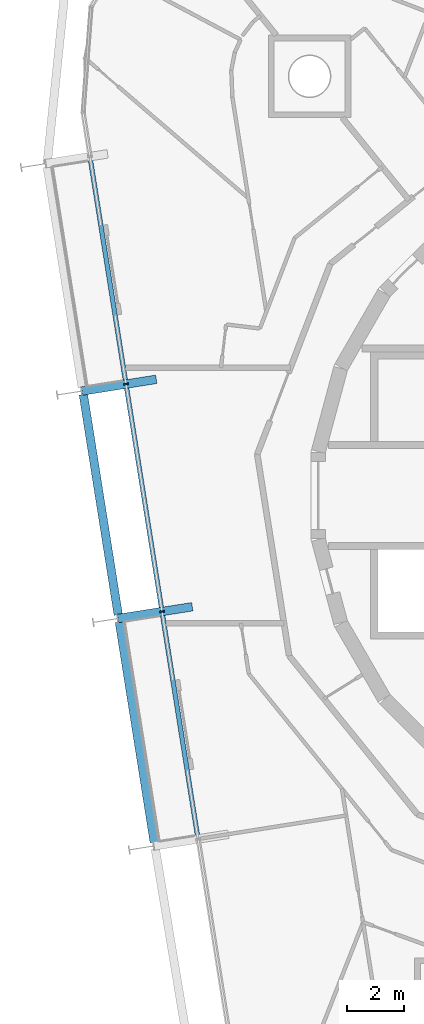
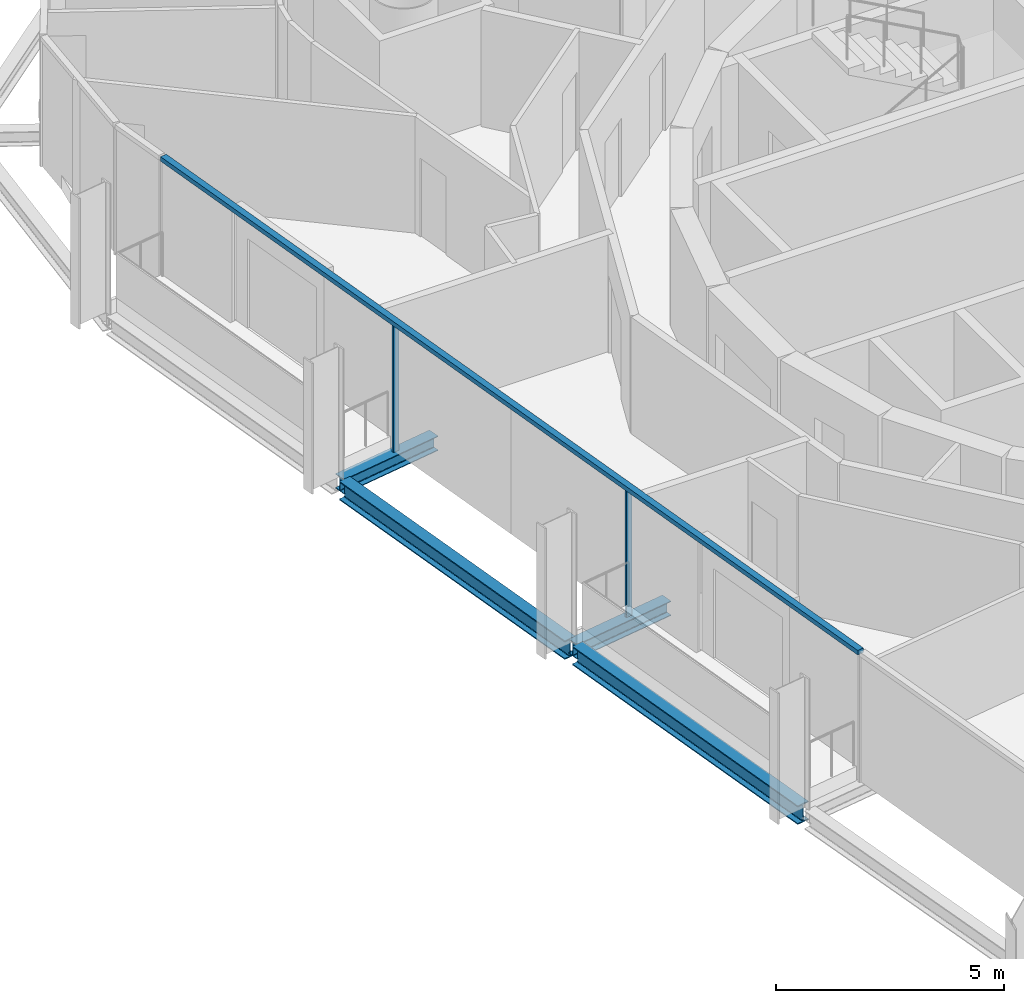
# One storey, part 3 of 17: 4 beams, 3 members, 1 element without a shape of its own.
"""IFC4 building model written with IfcOpenShell, lengths in metres."""

from ifc_helpers import new_model, si_unit, direction, frame, origin, origin_2d, place, context, subcontext, project, spatial, rectangle, i_section, extrude, material, layer, layer_set, material_profile, profile_set, type_object, element, aggregate, save


model = new_model("IFC4")

# Units and contexts
model_context = context("Model", 3, precision=1e-05, world=origin(), true_north=direction((0.0, 1.0)))
body_context = subcontext(model_context, "Body", "Model", "MODEL_VIEW")
ifc_project = project(units=[si_unit("LENGTHUNIT", "METRE"), si_unit("AREAUNIT", "SQUARE_METRE"), si_unit("VOLUMEUNIT", "CUBIC_METRE"), si_unit("PLANEANGLEUNIT", "RADIAN"), si_unit("MASSUNIT", "GRAM", prefix="KILO")], contexts=[model_context])

# Site, building, storey
site_placement = place(None, origin())
site = spatial("IfcSite", under=ifc_project, at=site_placement, CompositionType="ELEMENT")
building_placement = place(site_placement, origin())
building = spatial("IfcBuilding", under=site, at=building_placement, Name="Spindle Arch Residences", CompositionType="ELEMENT")
storey_placement = place(building_placement, frame((0.0, 0.0, 266.89990234375)))
storey = spatial("IfcBuildingStorey", under=building, at=storey_placement, Name="L68", CompositionType="ELEMENT", Elevation=266.89990234375)

# Curtain wall, members
ifc_material_1 = material(Name="Aluminium bronze unitised frame with tinted glass", Category="aluminium")
ifc_layer = layer(ifc_material_1, 0.159912109375)
ifc_layer_set = layer_set([ifc_layer], Name="CW-C typical residential unitised wall")
curtain_wall_type = type_object("IfcCurtainWallType", Name="CW-C typical residential unitised wall", PredefinedType="NOTDEFINED", material=ifc_layer_set)
curtain_wall_placement = place(storey_placement, origin())
curtain_wall = element("IfcCurtainWall", 1, at=curtain_wall_placement, inside=storey, type_object=curtain_wall_type, Name="CW-C L68 run 4", PredefinedType="NOTDEFINED")
ifc_material_2 = material(Name="Aluminium bronze anodised mullion", Category="aluminium")
ifc_material_profile_1 = material_profile(ifc_material_2, rectangle(XDim=0.159912109375, YDim=0.06005859375, at=origin_2d()), Name="MU 60x160")
ifc_profile_set_1 = profile_set([ifc_material_profile_1], Name="Aluminium bronze anodised mullion")
member_type_1 = type_object("IfcMemberType", Name="Bronze mullion 60x160", PredefinedType="MULLION", material=ifc_profile_set_1)
member_1_placement = place(storey_placement, frame((-18.417236328125, 3.923583984375, -0.3798828125), z_axis=(0.0, 0.0, 1.0), x_axis=(0.987688340595, 0.15643446504, 0.0)))
member_1 = element("IfcMember", 2, at=member_1_placement, type_object=member_type_1, Name="CW-C mullion 12", PredefinedType="MULLION", context=body_context, shape_type="SweptSolid", body=[
    extrude(rectangle(XDim=0.159912109375, YDim=0.06005859375, at=origin_2d()), origin(), (0.0, 0.0, 1.0), 3.3798828125),
])
member_2_placement = place(storey_placement, frame((-17.14892578125, -4.084228515625, -0.3798828125), z_axis=(0.0, 0.0, 1.0), x_axis=(0.987688340595, 0.15643446504, 0.0)))
member_2 = element("IfcMember", 3, at=member_2_placement, type_object=member_type_1, Name="CW-C mullion 13", PredefinedType="MULLION", context=body_context, shape_type="SweptSolid", body=[
    extrude(rectangle(XDim=0.159912109375, YDim=0.06005859375, at=origin_2d()), origin(), (0.0, 0.0, 1.0), 3.3798828125),
])
ifc_material_3 = material(Name="Aluminium bronze anodised transom", Category="aluminium")
ifc_material_profile_2 = material_profile(ifc_material_3, rectangle(XDim=0.159912109375, YDim=0.1201171875, at=origin_2d()), Name="TR 120x160")
ifc_profile_set_2 = profile_set([ifc_material_profile_2], Name="Aluminium bronze anodised transom")
member_type_2 = type_object("IfcMemberType", Name="Bronze transom 120x160", PredefinedType="USERDEFINED", material=ifc_profile_set_2)
member_3_placement = place(storey_placement, frame((-19.6806640625, 11.901611328125, 3.06005859375), z_axis=(0.156430704214, -0.987688936244, 0.0), x_axis=(0.987688936244, 0.156430704214, 0.0)))
member_3 = element("IfcMember", 4, at=member_3_placement, type_object=member_type_2, Name="CW-C transom 00", ObjectType="TRANSOM", PredefinedType="USERDEFINED", context=body_context, shape_type="SweptSolid", body=[
    extrude(rectangle(XDim=0.159912109375, YDim=0.1201171875, at=origin_2d()), origin(), (0.0, 0.0, 1.0), 24.262451171875),
])
aggregate(curtain_wall, [member_3, member_1, member_2])

# Beams
ifc_material_4 = material(Name="Steel S460ML, intumescent coating R 120", Category="steel")
ifc_material_profile_3 = material_profile(ifc_material_4, i_section(OverallWidth=0.300048828125, OverallDepth=0.5, WebThickness=0.014404296875, FlangeThickness=0.028076171875, FilletRadius=0.027099609375, at=origin_2d()), Name="HEB 500")
ifc_profile_set_3 = profile_set([ifc_material_profile_3], Name="Steel S460ML, intumescent coating R 120")
beam_type_1 = type_object("IfcBeamType", Name="Exoskeleton edge beam HEB 500", PredefinedType="BEAM", material=ifc_profile_set_3)
for number, where, z_axis, x_axis, name in (
    (5, (-19.91796875, 3.55419921875, -0.6298828125), (0.156453001738, -0.987685404492, 0.0), (0.987685404492, 0.156453001738, 0.0), "Exoskeleton edge beam 13"),
    (6, (-18.6494140625, -4.45361328125, -0.6298828125), (0.156422652856, -0.987690211389, 0.0), (0.987690211389, 0.156422652856, 0.0), "Exoskeleton edge beam 14"),
):
    element("IfcBeam", number, at=place(storey_placement, frame(where, z_axis=z_axis, x_axis=x_axis)), inside=storey, type_object=beam_type_1, Name=name, PredefinedType="BEAM", context=body_context, shape_type="SweptSolid", body=[
        extrude(i_section(OverallWidth=0.300048828125, OverallDepth=0.5, WebThickness=0.014404296875, FlangeThickness=0.028076171875, FilletRadius=0.027099609375, at=origin_2d()), origin(), (0.0, 0.0, 1.0), 7.84765625),
    ])
ifc_material_5 = material(Name="Steel S460ML, intumescent coating R 120", Category="steel")
ifc_material_profile_4 = material_profile(ifc_material_5, i_section(OverallWidth=0.300048828125, OverallDepth=0.389892578125, WebThickness=0.010986328125, FlangeThickness=0.01904296875, FilletRadius=0.027099609375, at=origin_2d()), Name="HEA 400")
ifc_profile_set_4 = profile_set([ifc_material_profile_4], Name="Steel S460ML, intumescent coating R 120")
beam_type_2 = type_object("IfcBeamType", Name="Floor outrigger HEA 400", PredefinedType="BEAM", material=ifc_profile_set_4)
beam_1_placement = place(storey_placement, frame((-19.9677734375, 3.677978515625, -0.574951171875), z_axis=(0.987686649348, 0.156445142779, 0.0), x_axis=(-0.156445142779, 0.987686649348, 0.0)))
element("IfcBeam", 7, at=beam_1_placement, inside=storey, type_object=beam_type_2, Name="Floor outrigger 13", PredefinedType="BEAM", context=body_context, shape_type="SweptSolid", body=[
    extrude(i_section(OverallWidth=0.300048828125, OverallDepth=0.389892578125, WebThickness=0.010986328125, FlangeThickness=0.01904296875, FilletRadius=0.027099609375, at=origin_2d()), origin(), (0.0, 0.0, 1.0), 2.64990234375),
])
beam_2_placement = place(storey_placement, frame((-18.699462890625, -4.329833984375, -0.574951171875), z_axis=(0.987688904051, 0.156430907479, 0.0), x_axis=(-0.156430907479, 0.987688904051, 0.0)))
element("IfcBeam", 8, at=beam_2_placement, inside=storey, type_object=beam_type_2, Name="Floor outrigger 14", PredefinedType="BEAM", context=body_context, shape_type="SweptSolid", body=[
    extrude(i_section(OverallWidth=0.300048828125, OverallDepth=0.389892578125, WebThickness=0.010986328125, FlangeThickness=0.01904296875, FilletRadius=0.027099609375, at=origin_2d()), origin(), (0.0, 0.0, 1.0), 2.650146484375),
])

save(model, "model.ifc")
